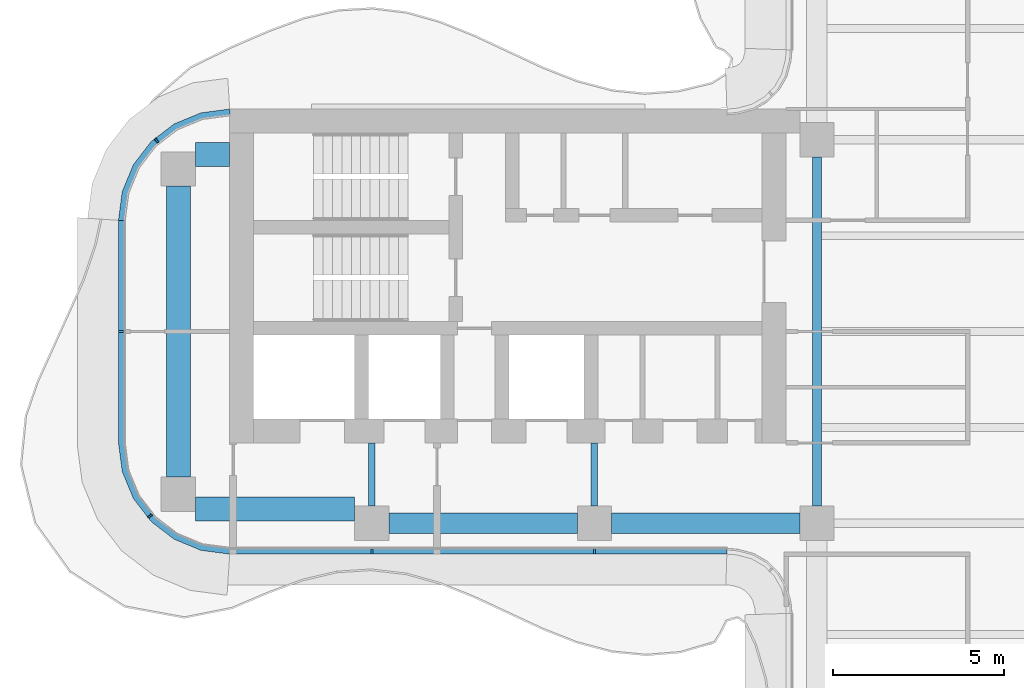
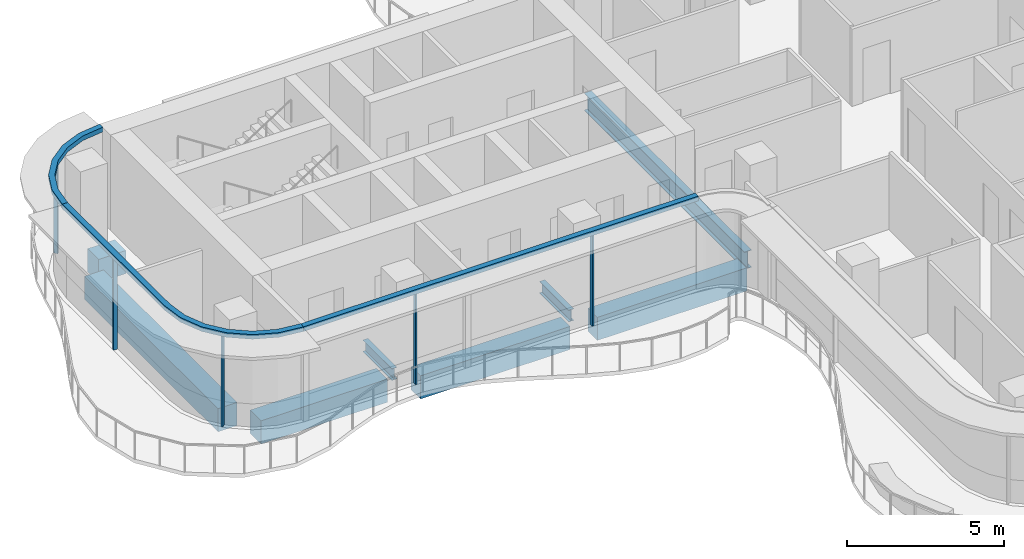
# One storey, part 3 of 17: 8 beams, 8 members, 3 elements without a shape of their own.
"""IFC4 building model written with IfcOpenShell, lengths in metres."""

from ifc_helpers import new_model, si_unit, direction, frame, origin, origin_2d, place, context, subcontext, project, spatial, polyline, rectangle, i_section, outline, extrude, source, transform, mapped, material, layer, layer_set, material_profile, profile_set, type_object, element, aggregate, save


model = new_model("IFC4")

# Units and contexts
model_context = context("Model", 3, precision=1e-05, world=origin(), true_north=direction((0.0, 1.0)))
body_context = subcontext(model_context, "Body", "Model", "MODEL_VIEW")
ifc_project = project(units=[si_unit("LENGTHUNIT", "METRE"), si_unit("AREAUNIT", "SQUARE_METRE"), si_unit("VOLUMEUNIT", "CUBIC_METRE"), si_unit("PLANEANGLEUNIT", "RADIAN"), si_unit("MASSUNIT", "GRAM", prefix="KILO")], contexts=[model_context])

# Site, building, storey
site_placement = place(None, origin())
site = spatial("IfcSite", under=ifc_project, at=site_placement, CompositionType="ELEMENT")
building_placement = place(site_placement, origin())
building = spatial("IfcBuilding", under=site, at=building_placement, Name="Trellis Farm Tower", CompositionType="ELEMENT")
storey_placement = place(building_placement, frame((0.0, 0.0, 295.0)))
storey = spatial("IfcBuildingStorey", under=building, at=storey_placement, Name="L66", CompositionType="ELEMENT", Elevation=295.0)

# Beams
ifc_material_1 = material(Name="Steel S355", Category="steel")
ifc_material_profile_1 = material_profile(ifc_material_1, i_section(OverallWidth=0.253662109375, OverallDepth=0.68359375, WebThickness=0.012451171875, FlangeThickness=0.021728515625, FilletRadius=0.01513671875, at=origin_2d()), Name="UB 686x254x140")
ifc_profile_set_1 = profile_set([ifc_material_profile_1], Name="Steel S355")
beam_type_1 = type_object("IfcBeamType", Name="UB 686x254x140", PredefinedType="BEAM", material=ifc_profile_set_1)
shared_shape_1 = source(origin(), body_context, "Body", "SweptSolid", [
    extrude(i_section(OverallWidth=0.253662109375, OverallDepth=0.68359375, WebThickness=0.012451171875, FlangeThickness=0.021728515625, FilletRadius=0.01513671875, at=origin_2d()), origin(), (0.0, 0.0, 1.0), 10.2001953125),
])
beam_1_placement = place(storey_placement, frame((-5.60009765625, -5.10009765625, -0.541748046875), z_axis=(0.0, 1.0, 0.0), x_axis=(-1.0, 0.0, 0.0)))
element("IfcBeam", 1, at=beam_1_placement, inside=storey, type_object=beam_type_1, Name="Girder", PredefinedType="BEAM", context=body_context, shape_type="MappedRepresentation", body=[
    mapped(shared_shape_1, transform((0.0, 0.0, 0.0))),
])
ifc_material_profile_2 = material_profile(ifc_material_1, i_section(OverallWidth=0.1904296875, OverallDepth=0.45703125, WebThickness=0.009033203125, FlangeThickness=0.014404296875, FilletRadius=0.01025390625, at=origin_2d()), Name="UB 457x191x74")
ifc_profile_set_2 = profile_set([ifc_material_profile_2], Name="Steel S355")
beam_type_2 = type_object("IfcBeamType", Name="UB 457x191x74", PredefinedType="BEAM", material=ifc_profile_set_2)
shared_shape_2 = source(origin(), body_context, "Body", "SweptSolid", [
    extrude(i_section(OverallWidth=0.1904296875, OverallDepth=0.45703125, WebThickness=0.009033203125, FlangeThickness=0.014404296875, FilletRadius=0.01025390625, at=origin_2d()), origin(), (0.0, 0.0, 1.0), 1.85009765625),
])
for number, where, z_axis, x_axis, name in (
    (2, (-18.60009765625, -5.10009765625, -0.428466796875), (0.0, 1.0, 0.0), (-1.0, 0.0, 0.0), "Girder"),
    (3, (-12.10009765625, -5.10009765625, -0.428466796875), (0.0, 1.0, 0.0), (-1.0, 0.0, 0.0), "Girder"),
):
    element("IfcBeam", number, at=place(storey_placement, frame(where, z_axis=z_axis, x_axis=x_axis)), inside=storey, type_object=beam_type_2, Name=name, PredefinedType="BEAM", context=body_context, shape_type="MappedRepresentation", body=[
        mapped(shared_shape_2, transform((0.0, 0.0, 0.0))),
    ])
ifc_material_2 = material(Name="Concrete C60/75", Category="concrete")
ifc_material_profile_3 = material_profile(ifc_material_2, rectangle(XDim=0.60009765625, YDim=0.89990234375, at=origin_2d()), Name="RC spandrel beam 600x900 C60/75")
ifc_profile_set_3 = profile_set([ifc_material_profile_3], Name="Concrete C60/75")
beam_type_3 = type_object("IfcBeamType", Name="RC spandrel beam 600x900 C60/75", PredefinedType="SPANDREL", material=ifc_profile_set_3)
shared_shape_3 = source(origin(), body_context, "Body", "SweptSolid", [
    extrude(rectangle(XDim=0.60009765625, YDim=0.89990234375, at=origin_2d()), origin(), (0.0, 0.0, 1.0), 5.5),
])
for number, where, z_axis, x_axis, name in (
    (4, (-18.10009765625, -5.60009765625, -0.64990234375), (1.0, 0.0, 0.0), (0.0, 1.0, 0.0), "Girder"),
    (5, (-11.60009765625, -5.60009765625, -0.64990234375), (1.0, 0.0, 0.0), (0.0, 1.0, 0.0), "Girder"),
):
    element("IfcBeam", number, at=place(storey_placement, frame(where, z_axis=z_axis, x_axis=x_axis)), inside=storey, type_object=beam_type_3, Name=name, PredefinedType="SPANDREL", context=body_context, shape_type="MappedRepresentation", body=[
        mapped(shared_shape_3, transform((0.0, 0.0, 0.0))),
    ])
ifc_material_profile_4 = material_profile(ifc_material_2, rectangle(XDim=0.699951171875, YDim=0.89990234375, at=origin_2d()), Name="RC spandrel beam 700x900 C60/75")
ifc_profile_set_4 = profile_set([ifc_material_profile_4], Name="Concrete C60/75")
beam_type_4 = type_object("IfcBeamType", Name="RC spandrel beam 700x900 C60/75", PredefinedType="SPANDREL", material=ifc_profile_set_4)
shared_shape_4 = source(origin(), body_context, "Body", "SweptSolid", [
    extrude(rectangle(XDim=0.699951171875, YDim=0.89990234375, at=origin_2d()), origin(), (0.0, 0.0, 1.0), 1.0),
])
beam_2_placement = place(storey_placement, frame((-23.75, 5.175048828125, -0.64990234375), z_axis=(1.0, 0.0, 0.0), x_axis=(0.0, 1.0, 0.0)))
element("IfcBeam", 6, at=beam_2_placement, inside=storey, type_object=beam_type_4, Name="Girder", PredefinedType="SPANDREL", context=body_context, shape_type="MappedRepresentation", body=[
    mapped(shared_shape_4, transform((0.0, 0.0, 0.0))),
])
shared_shape_5 = source(origin(), body_context, "Body", "SweptSolid", [
    extrude(rectangle(XDim=0.699951171875, YDim=0.89990234375, at=origin_2d()), origin(), (0.0, 0.0, 1.0), 4.64990234375),
])
beam_3_placement = place(storey_placement, frame((-23.75, -5.175048828125, -0.64990234375), z_axis=(1.0, 0.0, 0.0), x_axis=(0.0, 1.0, 0.0)))
element("IfcBeam", 7, at=beam_3_placement, inside=storey, type_object=beam_type_4, Name="Girder", PredefinedType="SPANDREL", context=body_context, shape_type="MappedRepresentation", body=[
    mapped(shared_shape_5, transform((0.0, 0.0, 0.0))),
])
shared_shape_6 = source(origin(), body_context, "Body", "SweptSolid", [
    extrude(rectangle(XDim=0.699951171875, YDim=0.89990234375, at=origin_2d()), origin(), (0.0, 0.0, 1.0), 8.5),
])
beam_4_placement = place(storey_placement, frame((-24.25, -4.25, -0.64990234375), z_axis=(0.0, 1.0, 0.0), x_axis=(-1.0, 0.0, 0.0)))
element("IfcBeam", 8, at=beam_4_placement, inside=storey, type_object=beam_type_4, Name="Girder", PredefinedType="SPANDREL", context=body_context, shape_type="MappedRepresentation", body=[
    mapped(shared_shape_6, transform((0.0, 0.0, 0.0))),
])

# Curtain wall, members
ifc_material_3 = material(Name="Aluminium and glass curtain wall", Category="aluminium")
ifc_layer_1 = layer(ifc_material_3, 0.18994140625)
ifc_layer_set_1 = layer_set([ifc_layer_1], Name="RIBBON CURTAIN WALL CW1")
curtain_wall_type = type_object("IfcCurtainWallType", Name="RIBBON CURTAIN WALL CW1", PredefinedType="NOTDEFINED", material=ifc_layer_set_1)
placement_1 = place(storey_placement, origin())
curtain_wall_1 = element("IfcCurtainWall", 9, at=placement_1, inside=storey, type_object=curtain_wall_type, Name="CW1 001", PredefinedType="NOTDEFINED")
ifc_material_4 = material(Name="Aluminium extrusion 6063-T6", Category="aluminium")
ifc_material_profile_5 = material_profile(ifc_material_4, rectangle(XDim=0.06005859375, YDim=0.14990234375, at=origin_2d()), Name="MULLION 60x150")
ifc_profile_set_5 = profile_set([ifc_material_profile_5], Name="Aluminium extrusion 6063-T6")
member_type_1 = type_object("IfcMemberType", Name="CW1 MULLION 60x150", PredefinedType="MULLION", material=ifc_profile_set_5)
shared_shape_7 = source(origin(), body_context, "Body", "SweptSolid", [
    extrude(rectangle(XDim=0.06005859375, YDim=0.14990234375, at=origin_2d()), origin(), (0.0, 0.0, 1.0), 3.52001953125),
])
member_1_placement = place(storey_placement, frame((-18.60009765625, -6.425048828125, 0.0), z_axis=(0.0, 0.0, 1.0), x_axis=(1.0, 0.0, 0.0)))
member_1 = element("IfcMember", 10, at=member_1_placement, type_object=member_type_1, Name="MU1 001-01", PredefinedType="MULLION", context=body_context, shape_type="MappedRepresentation", body=[
    mapped(shared_shape_7, transform((0.0, 0.0, 0.0))),
])
member_2_placement = place(storey_placement, frame((-12.10009765625, -6.425048828125, 0.0), z_axis=(0.0, 0.0, 1.0), x_axis=(1.0, 0.0, 0.0)))
member_2 = element("IfcMember", 11, at=member_2_placement, type_object=member_type_1, Name="MU1 001-02", PredefinedType="MULLION", context=body_context, shape_type="MappedRepresentation", body=[
    mapped(shared_shape_7, transform((0.0, 0.0, 0.0))),
])

# Curtain wall, member
curtain_wall_2 = element("IfcCurtainWall", 12, at=placement_1, inside=storey, type_object=curtain_wall_type, Name="CW1 012", PredefinedType="NOTDEFINED")
member_3_placement = place(storey_placement, frame((-24.885498046875, 5.578369140625, 0.0), z_axis=(0.0, 0.0, 1.0), x_axis=(-0.793353340291, -0.608761429009, 0.0)))
member_3 = element("IfcMember", 13, at=member_3_placement, type_object=member_type_1, Name="MU1 012-01", PredefinedType="MULLION", context=body_context, shape_type="MappedRepresentation", body=[
    mapped(shared_shape_7, transform((0.0, 0.0, 0.0))),
])

# Curtain wall, members
curtain_wall_3 = element("IfcCurtainWall", 14, at=placement_1, inside=storey, type_object=curtain_wall_type, Name="CW1 013", PredefinedType="NOTDEFINED")
member_4_placement = place(storey_placement, frame((-25.925048828125, 0.0, 0.0), z_axis=(0.0, 0.0, 1.0), x_axis=(0.0, -1.0, 0.0)))
member_4 = element("IfcMember", 15, at=member_4_placement, type_object=member_type_1, Name="MU1 013-01", PredefinedType="MULLION", context=body_context, shape_type="MappedRepresentation", body=[
    mapped(shared_shape_7, transform((0.0, 0.0, 0.0))),
])
member_5_placement = place(storey_placement, frame((-25.078369140625, -5.385498046875, 0.0), z_axis=(0.0, 0.0, 1.0), x_axis=(0.608761429009, -0.793353340291, 0.0)))
member_5 = element("IfcMember", 16, at=member_5_placement, type_object=member_type_1, Name="MU1 013-02", PredefinedType="MULLION", context=body_context, shape_type="MappedRepresentation", body=[
    mapped(shared_shape_7, transform((0.0, 0.0, 0.0))),
])

# Member
ifc_layer_2 = layer(ifc_material_4, 0.199951171875)
ifc_layer_set_2 = layer_set([ifc_layer_2], Name="Aluminium extrusion 6063-T6")
member_type_2 = type_object("IfcMemberType", Name="CW1 TRANSOM 200x180", PredefinedType="USERDEFINED", material=ifc_layer_set_2)
shared_shape_8 = source(origin(), body_context, "Body", "SweptSolid", [
    extrude(outline(polyline([(-22.75, -6.5), (-8.2314453125, -6.5), (-8.224853515625, -6.300048828125), (-22.73681640625, -6.300048828125), (-22.75, -6.5)])), origin(), (0.0, 0.0, 1.0), 0.179931640625),
])
placement_2 = place(storey_placement, frame((0.0, 0.0, 3.52001953125)))
member_6 = element("IfcMember", 17, at=placement_2, type_object=member_type_2, Name="TR1 001", ObjectType="TRANSOM", PredefinedType="USERDEFINED", context=body_context, shape_type="MappedRepresentation", body=[
    mapped(shared_shape_8, transform((0.0, 0.0, 0.0))),
])

aggregate(curtain_wall_1, [member_1, member_2, member_6])

shared_shape_9 = source(origin(), body_context, "Body", "SweptSolid", [
    extrude(outline(polyline([(-22.75, 6.5), (-23.591064453125, 6.38916015625), (-24.375, 6.064697265625), (-25.048095703125, 5.548095703125), (-25.564697265625, 4.875), (-25.88916015625, 4.091064453125), (-26.0, 3.25), (-25.800048828125, 3.23681640625), (-25.6943359375, 4.0390625), (-25.389892578125, 4.774169921875), (-24.905517578125, 5.405517578125), (-24.274169921875, 5.889892578125), (-23.5390625, 6.1943359375), (-22.73681640625, 6.300048828125), (-22.75, 6.5)])), origin(), (0.0, 0.0, 1.0), 0.179931640625),
])
member_7 = element("IfcMember", 18, at=placement_2, type_object=member_type_2, Name="TR1 012", ObjectType="TRANSOM", PredefinedType="USERDEFINED", context=body_context, shape_type="MappedRepresentation", body=[
    mapped(shared_shape_9, transform((0.0, 0.0, 0.0))),
])

aggregate(curtain_wall_2, [member_3, member_7])

shared_shape_10 = source(origin(), body_context, "Body", "SweptSolid", [
    extrude(outline(polyline([(-26.0, 3.25), (-26.0, -3.25), (-25.88916015625, -4.091064453125), (-25.564697265625, -4.875), (-25.048095703125, -5.548095703125), (-24.375, -6.064697265625), (-23.591064453125, -6.38916015625), (-22.75, -6.5), (-22.73681640625, -6.300048828125), (-23.5390625, -6.1943359375), (-24.274169921875, -5.889892578125), (-24.905517578125, -5.405517578125), (-25.389892578125, -4.774169921875), (-25.6943359375, -4.0390625), (-25.800048828125, -3.23681640625), (-25.800048828125, 3.23681640625), (-26.0, 3.25)])), origin(), (0.0, 0.0, 1.0), 0.179931640625),
])
member_8 = element("IfcMember", 19, at=placement_2, type_object=member_type_2, Name="TR1 013", ObjectType="TRANSOM", PredefinedType="USERDEFINED", context=body_context, shape_type="MappedRepresentation", body=[
    mapped(shared_shape_10, transform((0.0, 0.0, 0.0))),
])

aggregate(curtain_wall_3, [member_4, member_5, member_8])

save(model, "model.ifc")
